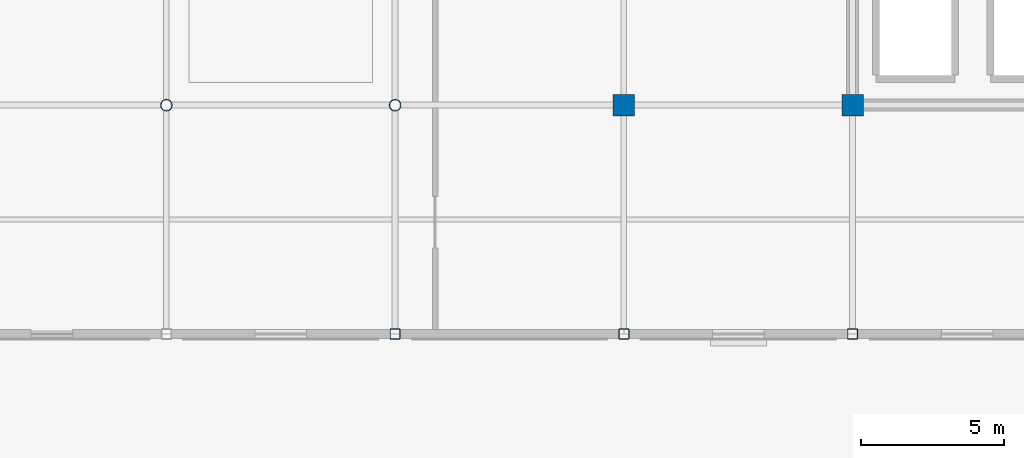
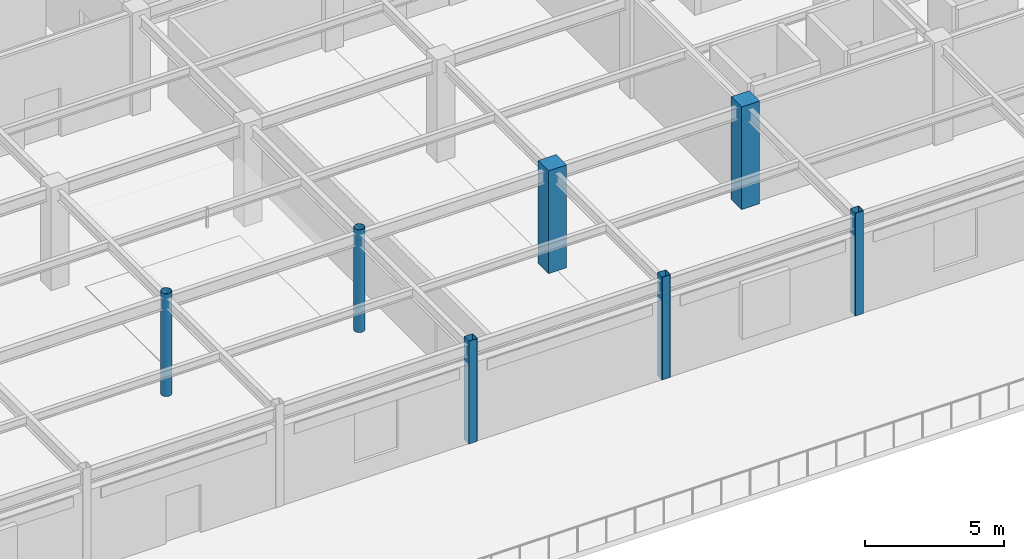
# One storey, part 13 of 111: 7 columns.
"""IFC4 building model written with IfcOpenShell, lengths in metres."""

from ifc_helpers import new_model, si_unit, direction, frame, origin, origin_2d, place, context, subcontext, project, spatial, rectangle, hollow_rectangle, hollow_circle, extrude, material, material_profile, profile_set, type_object, element, save


model = new_model("IFC4")

# Units and contexts
model_context = context("Model", 3, precision=1e-05, world=origin(), true_north=direction((0.0, 1.0)))
body_context = subcontext(model_context, "Body", "Model", "MODEL_VIEW")
ifc_project = project(units=[si_unit("LENGTHUNIT", "METRE"), si_unit("AREAUNIT", "SQUARE_METRE"), si_unit("VOLUMEUNIT", "CUBIC_METRE"), si_unit("PLANEANGLEUNIT", "RADIAN"), si_unit("MASSUNIT", "GRAM", prefix="KILO")], contexts=[model_context])

# Site, building, storey
site_placement = place(None, origin())
site = spatial("IfcSite", under=ifc_project, at=site_placement, CompositionType="ELEMENT")
building_placement = place(site_placement, origin())
building = spatial("IfcBuilding", under=site, at=building_placement, Name="Solmirada Galleria", CompositionType="ELEMENT")
storey_placement = place(building_placement, frame((0.0, 0.0, 10.39990234375)))
storey = spatial("IfcBuildingStorey", under=building, at=storey_placement, Name="L02", CompositionType="ELEMENT", Elevation=10.39990234375)

# Columns
ifc_material_1 = material(Name="Steel S355 / ASTM A500 Grade C", Category="steel")
ifc_material_profile_1 = material_profile(ifc_material_1, hollow_circle(Radius=0.202880859375, WallThickness=0.01171875, at=origin_2d()), Name="HSS16.000X0.500")
ifc_profile_set_1 = profile_set([ifc_material_profile_1], Name="Steel S355 / ASTM A500 Grade C")
column_type_1 = type_object("IfcColumnType", Name="COL-CHS16", PredefinedType="COLUMN", material=ifc_profile_set_1)
for number, where, z_axis, x_axis, name in (
    (1, (136.0, 88.0, 0.0), (0.0, 0.0, 1.0), (1.0, 0.0, 0.0), "Structural column L02-1163"),
    (2, (144.0, 88.0, 0.0), (0.0, 0.0, 1.0), (1.0, 0.0, 0.0), "Structural column L02-1249"),
):
    element("IfcColumn", number, at=place(storey_placement, frame(where, z_axis=z_axis, x_axis=x_axis)), inside=storey, type_object=column_type_1, Name=name, PredefinedType="COLUMN", context=body_context, shape_type="SweptSolid", body=[
        extrude(hollow_circle(Radius=0.202880859375, WallThickness=0.01171875, at=origin_2d()), origin(), (0.0, 0.0, 1.0), 4.5),
    ])
ifc_material_profile_2 = material_profile(ifc_material_1, hollow_rectangle(XDim=0.35595703125, YDim=0.35595703125, WallThickness=0.01171875, InnerFilletRadius=0.01171875, OuterFilletRadius=0.023681640625, at=origin_2d()), Name="HSS14X14X1/2")
ifc_profile_set_2 = profile_set([ifc_material_profile_2], Name="Steel S355 / ASTM A500 Grade C")
column_type_2 = type_object("IfcColumnType", Name="COL-HSS14", PredefinedType="COLUMN", material=ifc_profile_set_2)
for number, where, z_axis, x_axis, name in (
    (3, (144.0, 80.0, 0.0), (0.0, 0.0, 1.0), (1.0, 0.0, 0.0), "Structural column L02-1244"),
    (4, (152.0, 80.0, 0.0), (0.0, 0.0, 1.0), (1.0, 0.0, 0.0), "Structural column L02-1317"),
    (5, (160.0, 80.0, 0.0), (0.0, 0.0, 1.0), (1.0, 0.0, 0.0), "Structural column L02-1390"),
):
    element("IfcColumn", number, at=place(storey_placement, frame(where, z_axis=z_axis, x_axis=x_axis)), inside=storey, type_object=column_type_2, Name=name, PredefinedType="COLUMN", context=body_context, shape_type="SweptSolid", body=[
        extrude(hollow_rectangle(XDim=0.35595703125, YDim=0.35595703125, WallThickness=0.01171875, InnerFilletRadius=0.01171875, OuterFilletRadius=0.023681640625, at=origin_2d()), origin(), (0.0, 0.0, 1.0), 4.5),
    ])
ifc_material_2 = material(Name="Concrete C40/50", Category="concrete")
ifc_material_profile_3 = material_profile(ifc_material_2, rectangle(XDim=0.75, YDim=0.75, at=origin_2d()), Name="RC750X750")
ifc_profile_set_3 = profile_set([ifc_material_profile_3], Name="Concrete C40/50")
column_type_3 = type_object("IfcColumnType", Name="COL-RC750", PredefinedType="COLUMN", material=ifc_profile_set_3)
for number, where, z_axis, x_axis, name in (
    (6, (152.0, 88.0, 0.0), (0.0, 0.0, 1.0), (1.0, 0.0, 0.0), "Structural column L02-1322"),
    (7, (160.0, 88.0, 0.0), (0.0, 0.0, 1.0), (1.0, 0.0, 0.0), "Structural column L02-1395"),
):
    element("IfcColumn", number, at=place(storey_placement, frame(where, z_axis=z_axis, x_axis=x_axis)), inside=storey, type_object=column_type_3, Name=name, PredefinedType="COLUMN", context=body_context, shape_type="SweptSolid", body=[
        extrude(rectangle(XDim=0.75, YDim=0.75, at=origin_2d()), origin(), (0.0, 0.0, 1.0), 4.5),
    ])

save(model, "model.ifc")
